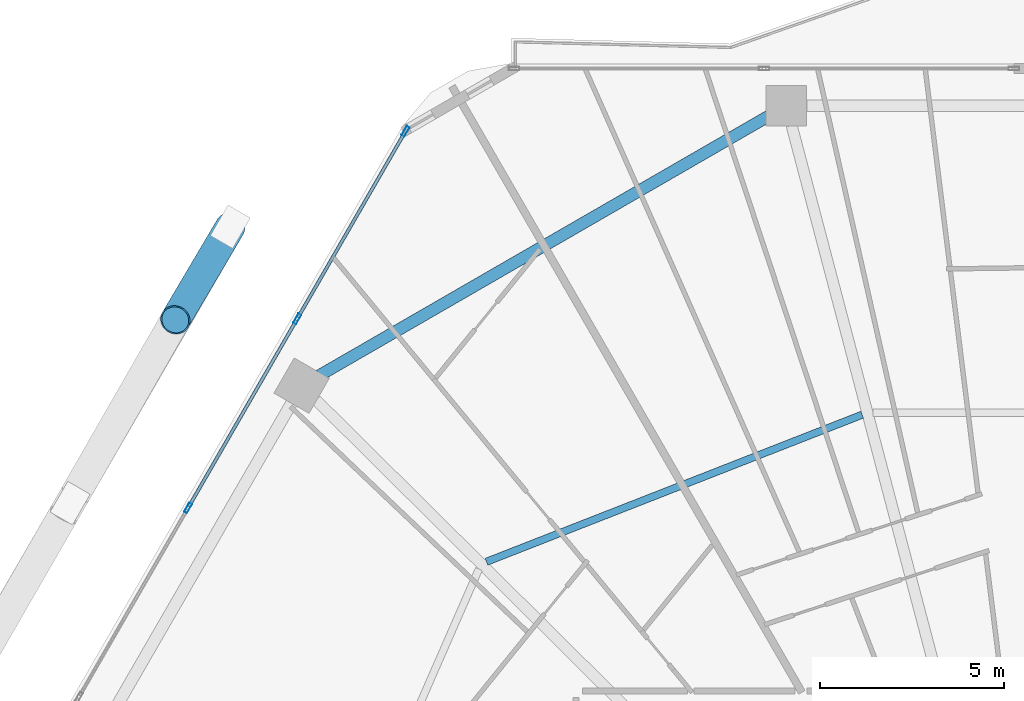
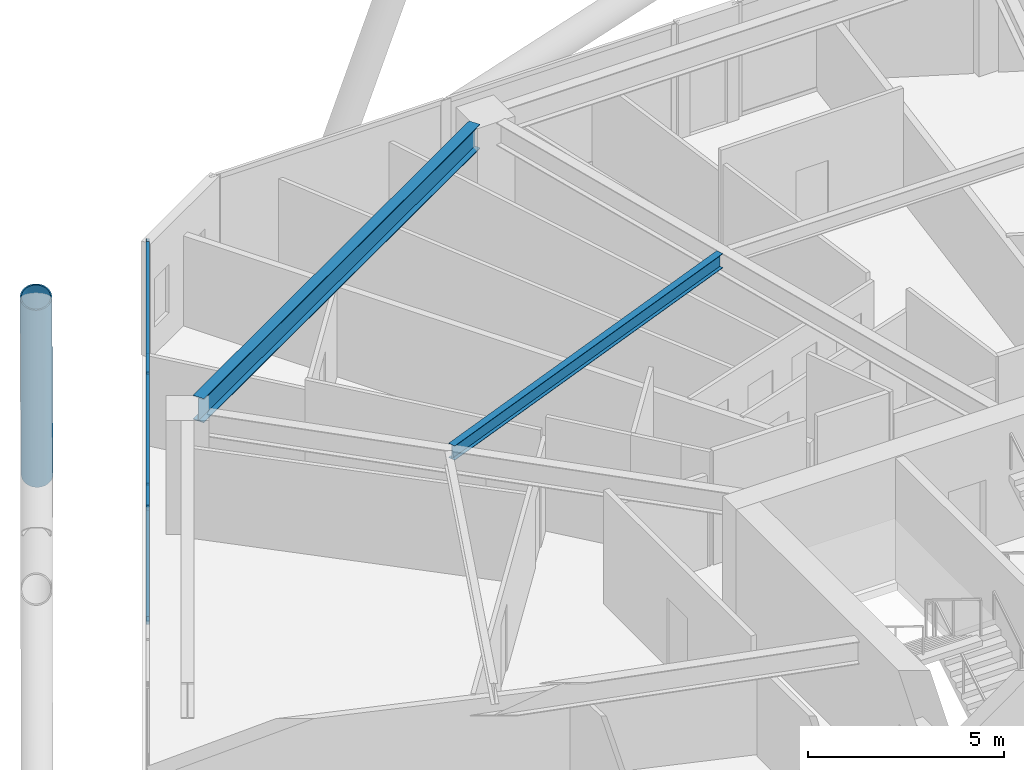
# One storey, part 18 of 35: 8 members, 2 beams, 1 element without a shape of its own.
"""IFC4 building model written with IfcOpenShell, lengths in metres."""

import ifcopenshell
import ifcopenshell.guid

model = None  # the IFC model being written
_history = None  # IfcOwnerHistory: only IFC2X3 demands one
_inside = {}  # id of a spatial element -> (the spatial element, [elements in it])
_under = {}  # id of a project, library or spatial element -> (it, [spatial elements below it])
_declared = {}  # id of a project -> (the project, [libraries it declares])
_typed = {}  # id of a type object -> (the type object, [elements of that type])
_made_of = {}  # id of a material, layer set ... -> (it, [elements and type objects made of it])


def new_model(schema):
    """Start an empty IFC model of exactly this schema.

    Asked for "IFC4X3", IfcOpenShell would pick the latest addendum, in which some entities
    have other attributes; the version numbers below select the first issue.
    IFC2X3 requires an IfcOwnerHistory on every rooted entity: one is made here for all.
    """
    global model, _history
    if schema == "IFC4X3":
        model = ifcopenshell.file(schema_version=(4, 3, 0, 0))
    else:
        model = ifcopenshell.file(schema=schema)
    _inside.clear()
    _under.clear()
    _declared.clear()
    _typed.clear()
    _made_of.clear()
    _history = None
    if model.schema == "IFC2X3":
        org = make("IfcOrganization", Name="unknown")
        user = make(
            "IfcPersonAndOrganization",
            ThePerson=make("IfcPerson", FamilyName="unknown"),
            TheOrganization=org,
        )
        app = make(
            "IfcApplication",
            ApplicationDeveloper=org,
            Version="unknown",
            ApplicationFullName="unknown",
            ApplicationIdentifier="unknown",
        )
        _history = make(
            "IfcOwnerHistory",
            OwningUser=user,
            OwningApplication=app,
            ChangeAction="ADDED",
            CreationDate=0,
        )
    return model


def make(cls, **values):
    """One entity of the class cls with the attributes given. An attribute that is None is left unset."""
    return model.create_entity(
        cls, **{name: value for name, value in values.items() if value is not None}
    )


def rooted(cls, **values):
    """An entity with a GlobalId (a new one), such as an element, a storey or a relation."""
    return make(cls, GlobalId=ifcopenshell.guid.new(), OwnerHistory=_history, **values)


def si_unit(unit_type, name, prefix=None):
    """IfcSIUnit, for example si_unit("LENGTHUNIT", "METRE", prefix="MILLI")."""
    return make("IfcSIUnit", UnitType=unit_type, Prefix=prefix, Name=name)


def assignment(units):
    """IfcUnitAssignment: the units of a project."""
    return None if units is None else make("IfcUnitAssignment", Units=units)


def point(xyz):
    """IfcCartesianPoint."""
    return None if xyz is None else make("IfcCartesianPoint", Coordinates=xyz)


def direction(xyz):
    """IfcDirection."""
    return None if xyz is None else make("IfcDirection", DirectionRatios=xyz)


def frame(location, z_axis=None, x_axis=None):
    """IfcAxis2Placement3D, a coordinate frame: its origin and axes. An axis left out is left unset."""
    return make(
        "IfcAxis2Placement3D",
        Location=point(location),
        Axis=direction(z_axis),
        RefDirection=direction(x_axis),
    )


def frame_2d(location, x_axis=None):
    """IfcAxis2Placement2D, a coordinate frame in the plane: its origin and x axis."""
    return make(
        "IfcAxis2Placement2D", Location=point(location), RefDirection=direction(x_axis)
    )


def origin():
    """The frame at (0, 0, 0) with its axes left unset."""
    return frame((0.0, 0.0, 0.0))


def origin_2d():
    """The frame at (0, 0) in the plane with its x axis left unset."""
    return frame_2d((0.0, 0.0))


def place(relative_to, where):
    """IfcLocalPlacement: puts the frame where relative to a parent placement (None: the world)."""
    return make(
        "IfcLocalPlacement", PlacementRelTo=relative_to, RelativePlacement=where
    )


def context(
    kind, dimensions, precision=None, world=None, true_north=None, identifier=None
):
    """IfcGeometricRepresentationContext, for example the 3D "Model" context."""
    return make(
        "IfcGeometricRepresentationContext",
        ContextIdentifier=identifier,
        ContextType=kind,
        CoordinateSpaceDimension=dimensions,
        Precision=precision,
        WorldCoordinateSystem=world,
        TrueNorth=true_north,
    )


def subcontext(parent, identifier, kind, view, scale=None):
    """IfcGeometricRepresentationSubContext, for example "Body" below "Model"."""
    return make(
        "IfcGeometricRepresentationSubContext",
        ContextIdentifier=identifier,
        ContextType=kind,
        ParentContext=parent,
        TargetScale=scale,
        TargetView=view,
    )


def project(units=None, contexts=None):
    """IfcProject with its units and contexts."""
    return rooted(
        "IfcProject",
        Name="project",
        RepresentationContexts=contexts,
        UnitsInContext=assignment(units),
    )


def spatial(cls, under=None, at=None, **own):
    """A site, building, storey or space (cls), placed at a placement, below another one or the project."""
    s = rooted(cls, ObjectPlacement=at, **own)
    if under is not None:
        _under.setdefault(under.id(), (under, []))[1].append(s)
    return s


def profile(cls, at=None, kind="AREA", **sizes):
    """A parametric profile (cls). Its sizes go by their IFC names, for example OverallWidth=200.0."""
    return make(cls, ProfileType=kind, Position=at, **sizes)


def hollow_rectangle(**sizes):
    """IfcRectangleHollowProfileDef."""
    return profile("IfcRectangleHollowProfileDef", **sizes)


def hollow_circle(**sizes):
    """IfcCircleHollowProfileDef."""
    return profile("IfcCircleHollowProfileDef", **sizes)


def i_section(**sizes):
    """IfcIShapeProfileDef."""
    return profile("IfcIShapeProfileDef", **sizes)


def extrude(swept, where, along, depth):
    """IfcExtrudedAreaSolid: the profile swept, set in the frame where, extruded along a direction by depth."""
    return make(
        "IfcExtrudedAreaSolid",
        SweptArea=swept,
        Position=where,
        ExtrudedDirection=direction(along),
        Depth=depth,
    )


def shape(context_of_items, identifier, shape_type, items):
    """IfcShapeRepresentation: the items that make up one representation, for example the "Body"."""
    return make(
        "IfcShapeRepresentation",
        ContextOfItems=context_of_items,
        RepresentationIdentifier=identifier,
        RepresentationType=shape_type,
        Items=items,
    )


def material(Name=None, Category=None):
    """IfcMaterial."""
    return make("IfcMaterial", Name=Name, Category=Category)


def material_profile(
    of_material, cross_section, Name=None, Category=None, Priority=None
):
    """IfcMaterialProfile: a cross section and its material."""
    return make(
        "IfcMaterialProfile",
        Name=Name,
        Material=of_material,
        Profile=cross_section,
        Priority=Priority,
        Category=Category,
    )


def profile_set(profiles, Name=None, composite=None):
    """IfcMaterialProfileSet."""
    return make(
        "IfcMaterialProfileSet",
        Name=Name,
        MaterialProfiles=profiles,
        CompositeProfile=composite,
    )


def made_of(thing, what):
    """Note that an element or type object is made of a material, layer set ...; save() writes the relation."""
    if what is not None:
        _made_of.setdefault(what.id(), (what, []))[1].append(thing)
    return thing


def type_object(cls, material=None, **own):
    """A type object (cls), such as IfcWallType, which elements share."""
    return made_of(rooted(cls, **own), material)


def element(
    cls,
    number,
    at=None,
    inside=None,
    cuts=None,
    type_object=None,
    material=None,
    context=None,
    identifier="Body",
    shape_type=None,
    held_by="IfcProductDefinitionShape",
    body=None,
    shapes=None,
    **own,
):
    """One element of the class cls, such as IfcWall. Its Tag is "e" and its number.

    at: its placement. inside: the storey or other place that contains it. cuts: it is an
    opening in that element (IfcRelVoidsElement). A single representation is given by context,
    identifier, shape_type and body (its items); several are given by shapes. held_by: the class
    of the entity that holds the representations. save() writes the other relations.
    """
    e = rooted(cls, Tag="e%d" % number, ObjectPlacement=at, **own)
    if body is not None:
        shapes = [shape(context, identifier, shape_type, body)]
    if shapes is not None:
        e.Representation = make(held_by, Representations=shapes)
    if inside is not None:
        _inside.setdefault(inside.id(), (inside, []))[1].append(e)
    if cuts is not None:
        rooted(
            "IfcRelVoidsElement", RelatingBuildingElement=cuts, RelatedOpeningElement=e
        )
    if type_object is not None:
        _typed.setdefault(type_object.id(), (type_object, []))[1].append(e)
    return made_of(e, material)


def aggregate(whole, parts):
    """IfcRelAggregates: a whole, such as a stair, and the parts it consists of."""
    return rooted("IfcRelAggregates", RelatingObject=whole, RelatedObjects=parts)


def save(model, path):
    """Write the relations noted so far, then the file.

    IfcRelAggregates (storeys below a building ...), IfcRelContainedInSpatialStructure (elements
    in a storey), IfcRelDefinesByType, IfcRelAssociatesMaterial and IfcRelDeclares: one each for
    every whole, place, type object, material and project.
    """
    for whole, parts in _under.values():
        aggregate(whole, parts)
    for where, things in _inside.values():
        rooted(
            "IfcRelContainedInSpatialStructure",
            RelatedElements=things,
            RelatingStructure=where,
        )
    for kind, things in _typed.values():
        rooted("IfcRelDefinesByType", RelatedObjects=things, RelatingType=kind)
    for what, things in _made_of.values():
        rooted("IfcRelAssociatesMaterial", RelatedObjects=things, RelatingMaterial=what)
    for by, libraries in _declared.values():
        rooted("IfcRelDeclares", RelatingContext=by, RelatedDefinitions=libraries)
    model.write(path)


model = new_model("IFC4")

# Units and contexts
model_context = context("Model", 3, precision=1e-05, world=origin(), true_north=direction((0.0, 1.0)))
body_context = subcontext(model_context, "Body", "Model", "MODEL_VIEW")
ifc_project = project(units=[si_unit("LENGTHUNIT", "METRE"), si_unit("AREAUNIT", "SQUARE_METRE"), si_unit("VOLUMEUNIT", "CUBIC_METRE"), si_unit("PLANEANGLEUNIT", "RADIAN"), si_unit("MASSUNIT", "GRAM", prefix="KILO")], contexts=[model_context])

# Site, building, storey
site_placement = place(None, origin())
site = spatial("IfcSite", under=ifc_project, at=site_placement, CompositionType="ELEMENT")
building_placement = place(site_placement, origin())
building = spatial("IfcBuilding", under=site, at=building_placement, Name="Zuhravey Tower", CompositionType="ELEMENT")
storey_placement = place(building_placement, frame((0.0, 0.0, 92.39990234375)))
storey = spatial("IfcBuildingStorey", under=building, at=storey_placement, Name="L22", CompositionType="ELEMENT", Elevation=92.39990234375)

# Curtain wall, members
ifc_material_1 = material(Name="Thermally broken anodised aluminium", Category="aluminium")
curtain_wall_type = type_object("IfcCurtainWallType", Name="Zone 1-2 Residential Curtain Wall CW3", PredefinedType="NOTDEFINED", material=ifc_material_1)
curtain_wall_placement = place(storey_placement, origin())
curtain_wall = element("IfcCurtainWall", 1, at=curtain_wall_placement, inside=storey, type_object=curtain_wall_type, Name="L22 CW3 CW-L22-F3-1", PredefinedType="NOTDEFINED")
ifc_material_2 = material(Name="Anodised aluminium", Category="aluminium")
ifc_material_profile_1 = material_profile(ifc_material_2, hollow_rectangle(XDim=0.090087890625, YDim=0.284912109375, WallThickness=0.0048828125, at=origin_2d()), Name="ALU-RHS-90x285x5")
ifc_profile_set_1 = profile_set([ifc_material_profile_1], Name="Anodised aluminium")
member_type_1 = type_object("IfcMemberType", Name="Curtain-Wall Mullion 90x180", PredefinedType="MULLION", material=ifc_profile_set_1)
member_1_placement = place(storey_placement, frame((12.401123046875, 49.04248046875, 0.0), z_axis=(0.0, 0.0, 1.0), x_axis=(-0.86602552265, 0.499999794119, 0.0)))
member_1 = element("IfcMember", 2, at=member_1_placement, type_object=member_type_1, Name="CW3 mullion 4", PredefinedType="MULLION", context=body_context, shape_type="SweptSolid", body=[
    extrude(hollow_rectangle(XDim=0.090087890625, YDim=0.284912109375, WallThickness=0.0048828125, at=origin_2d()), origin(), (0.0, 0.0, 1.0), 3.550048828125),
])
member_2_placement = place(storey_placement, frame((15.361083984375, 54.169189453125, 0.0), z_axis=(0.0, 0.0, 1.0), x_axis=(-0.86602552265, 0.499999794119, 0.0)))
member_2 = element("IfcMember", 3, at=member_2_placement, type_object=member_type_1, Name="CW3 mullion 5", PredefinedType="MULLION", context=body_context, shape_type="SweptSolid", body=[
    extrude(hollow_rectangle(XDim=0.090087890625, YDim=0.284912109375, WallThickness=0.0048828125, at=origin_2d()), origin(), (0.0, 0.0, 1.0), 3.550048828125),
])
member_3_placement = place(storey_placement, frame((18.298583984375, 59.257080078125, 0.0), z_axis=(0.0, 0.0, 1.0), x_axis=(-0.86602552265, 0.499999794119, 0.0)))
member_3 = element("IfcMember", 4, at=member_3_placement, type_object=member_type_1, Name="CW3 mullion 6", PredefinedType="MULLION", context=body_context, shape_type="SweptSolid", body=[
    extrude(hollow_rectangle(XDim=0.090087890625, YDim=0.284912109375, WallThickness=0.0048828125, at=origin_2d()), origin(), (0.0, 0.0, 1.0), 3.550048828125),
])
ifc_material_profile_2 = material_profile(ifc_material_2, hollow_rectangle(XDim=0.090087890625, YDim=0.14990234375, WallThickness=0.0048828125, at=origin_2d()), Name="ALU-RHS-90x150x5")
ifc_profile_set_2 = profile_set([ifc_material_profile_2], Name="Anodised aluminium")
member_type_2 = type_object("IfcMemberType", Name="Curtain-Wall Transom 90x150", PredefinedType="USERDEFINED", material=ifc_profile_set_2)
member_4_placement = place(storey_placement, frame((12.423583984375, 49.08154296875, 0.045166015625), z_axis=(0.500012451049, 0.866018215049, 0.0), x_axis=(-0.866018215049, 0.500012451049, 0.0)))
member_4 = element("IfcMember", 5, at=member_4_placement, type_object=member_type_2, Name="CW3 transom 4.1", ObjectType="TRANSOM", PredefinedType="USERDEFINED", context=body_context, shape_type="SweptSolid", body=[
    extrude(hollow_rectangle(XDim=0.090087890625, YDim=0.14990234375, WallThickness=0.0048828125, at=origin_2d()), origin(), (0.0, 0.0, 1.0), 5.829833984375),
])
member_5_placement = place(storey_placement, frame((12.423583984375, 49.08154296875, 3.505126953125), z_axis=(0.500012451049, 0.866018215049, 0.0), x_axis=(-0.866018215049, 0.500012451049, 0.0)))
member_5 = element("IfcMember", 6, at=member_5_placement, type_object=member_type_2, Name="CW3 transom 4.2", ObjectType="TRANSOM", PredefinedType="USERDEFINED", context=body_context, shape_type="SweptSolid", body=[
    extrude(hollow_rectangle(XDim=0.090087890625, YDim=0.14990234375, WallThickness=0.0048828125, at=origin_2d()), origin(), (0.0, 0.0, 1.0), 5.829833984375),
])
member_6_placement = place(storey_placement, frame((15.383544921875, 54.208251953125, 0.045166015625), z_axis=(0.499992798144, 0.866029561738, 0.0), x_axis=(-0.866029561738, 0.499992798144, 0.0)))
member_6 = element("IfcMember", 7, at=member_6_placement, type_object=member_type_2, Name="CW3 transom 5.1", ObjectType="TRANSOM", PredefinedType="USERDEFINED", context=body_context, shape_type="SweptSolid", body=[
    extrude(hollow_rectangle(XDim=0.090087890625, YDim=0.14990234375, WallThickness=0.0048828125, at=origin_2d()), origin(), (0.0, 0.0, 1.0), 5.78466796875),
])
member_7_placement = place(storey_placement, frame((15.383544921875, 54.208251953125, 3.505126953125), z_axis=(0.499992798144, 0.866029561738, 0.0), x_axis=(-0.866029561738, 0.499992798144, 0.0)))
member_7 = element("IfcMember", 8, at=member_7_placement, type_object=member_type_2, Name="CW3 transom 5.2", ObjectType="TRANSOM", PredefinedType="USERDEFINED", context=body_context, shape_type="SweptSolid", body=[
    extrude(hollow_rectangle(XDim=0.090087890625, YDim=0.14990234375, WallThickness=0.0048828125, at=origin_2d()), origin(), (0.0, 0.0, 1.0), 5.78466796875),
])
aggregate(curtain_wall, [member_1, member_2, member_3, member_4, member_5, member_6, member_7])

# Member
ifc_material_3 = material(Name="Steel SM460", Category="steel")
ifc_material_profile_3 = material_profile(ifc_material_3, hollow_circle(Radius=0.406494140625, WallThickness=0.035888671875, at=origin_2d()), Name="CHS-812.8x36")
ifc_profile_set_3 = profile_set([ifc_material_profile_3], Name="Steel SM460")
member_type_3 = type_object("IfcMemberType", Name="Exoskeleton Zone 1 Diagrid CHS813x36", PredefinedType="BRACE", material=ifc_profile_set_3)
member_8_placement = place(storey_placement, frame((13.54296875, 56.66064453125, -0.44189453125), z_axis=(-0.183708328785, -0.310891017943, 0.93252239914), x_axis=(0.860926528214, -0.508729312127, 0.0)))
element("IfcMember", 9, at=member_8_placement, inside=storey, type_object=member_type_3, Name="L22 Face 3 Diagrid Brace 1", PredefinedType="BRACE", context=body_context, shape_type="SweptSolid", body=[
    extrude(hollow_circle(Radius=0.406494140625, WallThickness=0.035888671875, at=origin_2d()), origin(), (0.0, 0.0, 1.0), 8.1025390625),
])

# Beams
ifc_material_4 = material(Name="Steel SM355", Category="steel")
ifc_material_profile_4 = material_profile(ifc_material_4, i_section(OverallWidth=0.320068359375, OverallDepth=0.75, WebThickness=0.013916015625, FlangeThickness=0.02490234375, at=origin_2d()), Name="H-750x320x14x25")
ifc_profile_set_4 = profile_set([ifc_material_profile_4], Name="Steel SM355")
beam_type_1 = type_object("IfcBeamType", Name="Perimeter Ring Beam H750x320", PredefinedType="BEAM", material=ifc_profile_set_4)
beam_1_placement = place(storey_placement, frame((28.151123046875, 59.672119140625, 3.175048828125), z_axis=(-0.866017786538, -0.500013193225, 0.0), x_axis=(0.500013193225, -0.866017786538, 0.0)))
element("IfcBeam", 10, at=beam_1_placement, inside=storey, type_object=beam_type_1, Name="L22 PB1 BM-L22-PB-04", PredefinedType="BEAM", context=body_context, shape_type="SweptSolid", body=[
    extrude(i_section(OverallWidth=0.320068359375, OverallDepth=0.75, WebThickness=0.013916015625, FlangeThickness=0.02490234375, at=origin_2d()), origin(), (0.0, 0.0, 1.0), 14.0771484375),
])
ifc_material_profile_5 = material_profile(ifc_material_4, i_section(OverallWidth=0.199951171875, OverallDepth=0.449951171875, WebThickness=0.009033203125, FlangeThickness=0.013916015625, at=origin_2d()), Name="H-450x200x9x14")
ifc_profile_set_5 = profile_set([ifc_material_profile_5], Name="Steel SM355")
beam_type_2 = type_object("IfcBeamType", Name="Secondary Floor Joist H450x200", PredefinedType="JOIST", material=ifc_profile_set_5)
beam_2_placement = place(storey_placement, frame((30.681640625, 51.568359375, 3.3251953125), z_axis=(-0.931216764731, -0.364465824302, 0.0), x_axis=(0.364465824302, -0.931216764731, 0.0)))
element("IfcBeam", 11, at=beam_2_placement, inside=storey, type_object=beam_type_2, Name="L22 SJ1 BM-L22-SJ-04-1", PredefinedType="JOIST", context=body_context, shape_type="SweptSolid", body=[
    extrude(i_section(OverallWidth=0.199951171875, OverallDepth=0.449951171875, WebThickness=0.009033203125, FlangeThickness=0.013916015625, at=origin_2d()), origin(), (0.0, 0.0, 1.0), 10.939453125),
])

save(model, "model.ifc")
